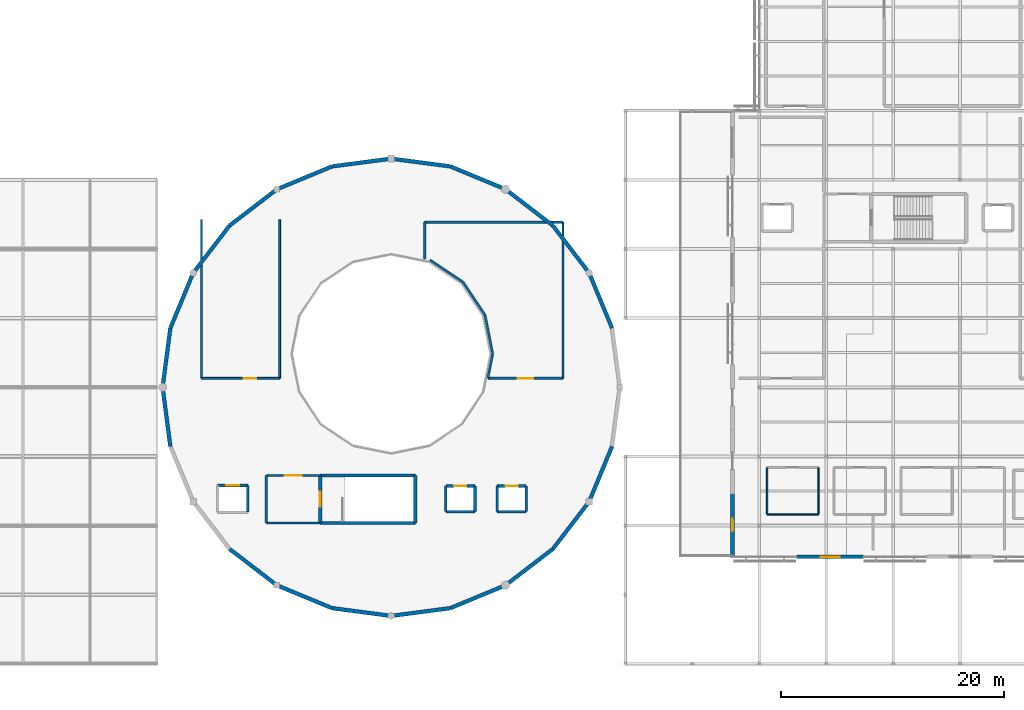
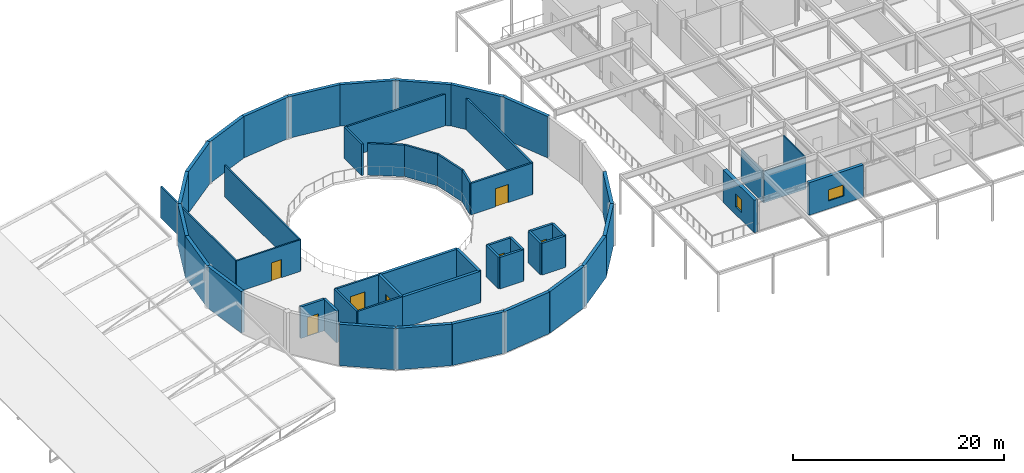
# One storey, part 40 of 48: 53 walls, 7 doors, 2 windows, 9 openings.
"""IFC4 building model written with IfcOpenShell, lengths in metres."""

import ifcopenshell
import ifcopenshell.guid

model = None  # the IFC model being written
_history = None  # IfcOwnerHistory: only IFC2X3 demands one
_inside = {}  # id of a spatial element -> (the spatial element, [elements in it])
_under = {}  # id of a project, library or spatial element -> (it, [spatial elements below it])
_declared = {}  # id of a project -> (the project, [libraries it declares])
_typed = {}  # id of a type object -> (the type object, [elements of that type])
_made_of = {}  # id of a material, layer set ... -> (it, [elements and type objects made of it])


def new_model(schema):
    """Start an empty IFC model of exactly this schema.

    Asked for "IFC4X3", IfcOpenShell would pick the latest addendum, in which some entities
    have other attributes; the version numbers below select the first issue.
    IFC2X3 requires an IfcOwnerHistory on every rooted entity: one is made here for all.
    """
    global model, _history
    if schema == "IFC4X3":
        model = ifcopenshell.file(schema_version=(4, 3, 0, 0))
    else:
        model = ifcopenshell.file(schema=schema)
    _inside.clear()
    _under.clear()
    _declared.clear()
    _typed.clear()
    _made_of.clear()
    _history = None
    if model.schema == "IFC2X3":
        org = make("IfcOrganization", Name="unknown")
        user = make(
            "IfcPersonAndOrganization",
            ThePerson=make("IfcPerson", FamilyName="unknown"),
            TheOrganization=org,
        )
        app = make(
            "IfcApplication",
            ApplicationDeveloper=org,
            Version="unknown",
            ApplicationFullName="unknown",
            ApplicationIdentifier="unknown",
        )
        _history = make(
            "IfcOwnerHistory",
            OwningUser=user,
            OwningApplication=app,
            ChangeAction="ADDED",
            CreationDate=0,
        )
    return model


def make(cls, **values):
    """One entity of the class cls with the attributes given. An attribute that is None is left unset."""
    return model.create_entity(
        cls, **{name: value for name, value in values.items() if value is not None}
    )


def rooted(cls, **values):
    """An entity with a GlobalId (a new one), such as an element, a storey or a relation."""
    return make(cls, GlobalId=ifcopenshell.guid.new(), OwnerHistory=_history, **values)


def si_unit(unit_type, name, prefix=None):
    """IfcSIUnit, for example si_unit("LENGTHUNIT", "METRE", prefix="MILLI")."""
    return make("IfcSIUnit", UnitType=unit_type, Prefix=prefix, Name=name)


def assignment(units):
    """IfcUnitAssignment: the units of a project."""
    return None if units is None else make("IfcUnitAssignment", Units=units)


def point(xyz):
    """IfcCartesianPoint."""
    return None if xyz is None else make("IfcCartesianPoint", Coordinates=xyz)


def direction(xyz):
    """IfcDirection."""
    return None if xyz is None else make("IfcDirection", DirectionRatios=xyz)


def frame(location, z_axis=None, x_axis=None):
    """IfcAxis2Placement3D, a coordinate frame: its origin and axes. An axis left out is left unset."""
    return make(
        "IfcAxis2Placement3D",
        Location=point(location),
        Axis=direction(z_axis),
        RefDirection=direction(x_axis),
    )


def frame_2d(location, x_axis=None):
    """IfcAxis2Placement2D, a coordinate frame in the plane: its origin and x axis."""
    return make(
        "IfcAxis2Placement2D", Location=point(location), RefDirection=direction(x_axis)
    )


def origin():
    """The frame at (0, 0, 0) with its axes left unset."""
    return frame((0.0, 0.0, 0.0))


def place(relative_to, where):
    """IfcLocalPlacement: puts the frame where relative to a parent placement (None: the world)."""
    return make(
        "IfcLocalPlacement", PlacementRelTo=relative_to, RelativePlacement=where
    )


def context(
    kind, dimensions, precision=None, world=None, true_north=None, identifier=None
):
    """IfcGeometricRepresentationContext, for example the 3D "Model" context."""
    return make(
        "IfcGeometricRepresentationContext",
        ContextIdentifier=identifier,
        ContextType=kind,
        CoordinateSpaceDimension=dimensions,
        Precision=precision,
        WorldCoordinateSystem=world,
        TrueNorth=true_north,
    )


def subcontext(parent, identifier, kind, view, scale=None):
    """IfcGeometricRepresentationSubContext, for example "Body" below "Model"."""
    return make(
        "IfcGeometricRepresentationSubContext",
        ContextIdentifier=identifier,
        ContextType=kind,
        ParentContext=parent,
        TargetScale=scale,
        TargetView=view,
    )


def project(units=None, contexts=None):
    """IfcProject with its units and contexts."""
    return rooted(
        "IfcProject",
        Name="project",
        RepresentationContexts=contexts,
        UnitsInContext=assignment(units),
    )


def spatial(cls, under=None, at=None, **own):
    """A site, building, storey or space (cls), placed at a placement, below another one or the project."""
    s = rooted(cls, ObjectPlacement=at, **own)
    if under is not None:
        _under.setdefault(under.id(), (under, []))[1].append(s)
    return s


def profile(cls, at=None, kind="AREA", **sizes):
    """A parametric profile (cls). Its sizes go by their IFC names, for example OverallWidth=200.0."""
    return make(cls, ProfileType=kind, Position=at, **sizes)


def rectangle(**sizes):
    """IfcRectangleProfileDef."""
    return profile("IfcRectangleProfileDef", **sizes)


def extrude(swept, where, along, depth):
    """IfcExtrudedAreaSolid: the profile swept, set in the frame where, extruded along a direction by depth."""
    return make(
        "IfcExtrudedAreaSolid",
        SweptArea=swept,
        Position=where,
        ExtrudedDirection=direction(along),
        Depth=depth,
    )


def shape(context_of_items, identifier, shape_type, items):
    """IfcShapeRepresentation: the items that make up one representation, for example the "Body"."""
    return make(
        "IfcShapeRepresentation",
        ContextOfItems=context_of_items,
        RepresentationIdentifier=identifier,
        RepresentationType=shape_type,
        Items=items,
    )


def material(Name=None, Category=None):
    """IfcMaterial."""
    return make("IfcMaterial", Name=Name, Category=Category)


def layer(
    of_material, thickness, ventilated=None, Name=None, Category=None, Priority=None
):
    """IfcMaterialLayer: one layer of a wall or slab, of a material (None: an air gap)."""
    return make(
        "IfcMaterialLayer",
        Material=of_material,
        LayerThickness=thickness,
        IsVentilated=ventilated,
        Name=Name,
        Category=Category,
        Priority=Priority,
    )


def layer_set(layers, Name=None):
    """IfcMaterialLayerSet."""
    return make("IfcMaterialLayerSet", MaterialLayers=layers, LayerSetName=Name)


def made_of(thing, what):
    """Note that an element or type object is made of a material, layer set ...; save() writes the relation."""
    if what is not None:
        _made_of.setdefault(what.id(), (what, []))[1].append(thing)
    return thing


def type_object(cls, material=None, **own):
    """A type object (cls), such as IfcWallType, which elements share."""
    return made_of(rooted(cls, **own), material)


def element(
    cls,
    number,
    at=None,
    inside=None,
    cuts=None,
    type_object=None,
    material=None,
    context=None,
    identifier="Body",
    shape_type=None,
    held_by="IfcProductDefinitionShape",
    body=None,
    shapes=None,
    **own,
):
    """One element of the class cls, such as IfcWall. Its Tag is "e" and its number.

    at: its placement. inside: the storey or other place that contains it. cuts: it is an
    opening in that element (IfcRelVoidsElement). A single representation is given by context,
    identifier, shape_type and body (its items); several are given by shapes. held_by: the class
    of the entity that holds the representations. save() writes the other relations.
    """
    e = rooted(cls, Tag="e%d" % number, ObjectPlacement=at, **own)
    if body is not None:
        shapes = [shape(context, identifier, shape_type, body)]
    if shapes is not None:
        e.Representation = make(held_by, Representations=shapes)
    if inside is not None:
        _inside.setdefault(inside.id(), (inside, []))[1].append(e)
    if cuts is not None:
        rooted(
            "IfcRelVoidsElement", RelatingBuildingElement=cuts, RelatedOpeningElement=e
        )
    if type_object is not None:
        _typed.setdefault(type_object.id(), (type_object, []))[1].append(e)
    return made_of(e, material)


def fill(opening, filler):
    """IfcRelFillsElement: the door or window that sits in an opening."""
    return rooted(
        "IfcRelFillsElement",
        RelatingOpeningElement=opening,
        RelatedBuildingElement=filler,
    )


def aggregate(whole, parts):
    """IfcRelAggregates: a whole, such as a stair, and the parts it consists of."""
    return rooted("IfcRelAggregates", RelatingObject=whole, RelatedObjects=parts)


def save(model, path):
    """Write the relations noted so far, then the file.

    IfcRelAggregates (storeys below a building ...), IfcRelContainedInSpatialStructure (elements
    in a storey), IfcRelDefinesByType, IfcRelAssociatesMaterial and IfcRelDeclares: one each for
    every whole, place, type object, material and project.
    """
    for whole, parts in _under.values():
        aggregate(whole, parts)
    for where, things in _inside.values():
        rooted(
            "IfcRelContainedInSpatialStructure",
            RelatedElements=things,
            RelatingStructure=where,
        )
    for kind, things in _typed.values():
        rooted("IfcRelDefinesByType", RelatedObjects=things, RelatingType=kind)
    for what, things in _made_of.values():
        rooted("IfcRelAssociatesMaterial", RelatedObjects=things, RelatingMaterial=what)
    for by, libraries in _declared.values():
        rooted("IfcRelDeclares", RelatingContext=by, RelatedDefinitions=libraries)
    model.write(path)


model = new_model("IFC4")

# Units and contexts
model_context = context("Model", 3, precision=1e-05, world=origin(), true_north=direction((0.0, 1.0)))
body_context = subcontext(model_context, "Body", "Model", "MODEL_VIEW")
ifc_project = project(units=[si_unit("LENGTHUNIT", "METRE"), si_unit("AREAUNIT", "SQUARE_METRE"), si_unit("VOLUMEUNIT", "CUBIC_METRE"), si_unit("PLANEANGLEUNIT", "RADIAN"), si_unit("MASSUNIT", "GRAM", prefix="KILO")], contexts=[model_context])

# Site, building, storey
site_placement = place(None, origin())
site = spatial("IfcSite", under=ifc_project, at=site_placement, CompositionType="ELEMENT")
building_placement = place(site_placement, origin())
building = spatial("IfcBuilding", under=site, at=building_placement, Name="Mirzam Square Science Centre", CompositionType="ELEMENT")
storey_placement = place(building_placement, frame((0.0, 0.0, 20.39990234375)))
storey = spatial("IfcBuildingStorey", under=building, at=storey_placement, Name="L04", CompositionType="ELEMENT", Elevation=20.39990234375)

# Walls
ifc_material_1 = material(Name="Concrete C45/55", Category="concrete")
ifc_layer_1 = layer(ifc_material_1, 0.300048828125)
ifc_layer_set_1 = layer_set([ifc_layer_1], Name="W-CORE-300")
wall_type_1 = type_object("IfcWallType", Name="W-CORE-300", PredefinedType="SHEAR", material=ifc_layer_set_1)
for number, where, z_axis, x_axis, name in (
    (1, (74.639892578125, 49.840087890625, 0.0), (0.0, 0.0, 1.0), (1.0, 0.0, 0.0), "L04 CORE-3 south wall"),
    (2, (83.159912109375, 54.090087890625, 0.0), (0.0, 0.0, 1.0), (-1.0, 0.0, 0.0), "L04 CORE-3 north wall"),
):
    element("IfcWall", number, at=place(storey_placement, frame(where, z_axis=z_axis, x_axis=x_axis)), inside=storey, type_object=wall_type_1, Name=name, PredefinedType="SHEAR", context=body_context, shape_type="SweptSolid", body=[
        extrude(rectangle(XDim=8.52001953125, YDim=0.300048828125, at=frame_2d((4.260009765625, 0.0))), origin(), (0.0, 0.0, 1.0), 3.650146484375),
    ])

# Wall, opening, door
wall_1_placement = place(storey_placement, frame((74.639892578125, 54.090087890625, 0.0), z_axis=(0.0, 0.0, 1.0), x_axis=(0.0, -1.0, 0.0)))
wall_1 = element("IfcWall", 3, at=wall_1_placement, inside=storey, type_object=wall_type_1, Name="L04 CORE-3 west wall", PredefinedType="SHEAR", context=body_context, shape_type="SweptSolid", body=[
    extrude(rectangle(XDim=4.25, YDim=0.300048828125, at=frame_2d((2.125, 0.0))), origin(), (0.0, 0.0, 1.0), 3.650146484375),
])
opening_1_placement = place(wall_1_placement, frame((1.449951171875, 0.0, 0.0)))
opening_1 = element("IfcOpeningElement", 4, at=opening_1_placement, cuts=wall_1, Name="Opening DS-01", PredefinedType="OPENING", context=body_context, shape_type="SweptSolid", body=[
    extrude(rectangle(XDim=1.35009765625, YDim=2.199951171875, at=frame_2d((0.675048828125, 1.10009765625))), frame((0.0, 0.159912109375, 0.0), z_axis=(0.0, -1.0, 0.0), x_axis=(1.0, 0.0, 0.0)), (0.0, 0.0, 1.0), 0.320068359375),
])
ifc_material_2 = material(Name="Fire-Rated Powder-Coated Architectural Steel Door", Category="steel")
door_type_1 = type_object("IfcDoorType", Name="DR-STAIR-1350x2200", OperationType="NOTDEFINED", PredefinedType="DOOR", material=ifc_material_2)
door_1_placement = place(opening_1_placement, origin())
door_1 = element("IfcDoor", 5, at=door_1_placement, inside=storey, type_object=door_type_1, Name="DRS-3-L04", OperationType="SINGLE_SWING_RIGHT", OverallHeight=2.199951171875, OverallWidth=1.35009765625, PredefinedType="DOOR", context=body_context, shape_type="SweptSolid", body=[
    extrude(rectangle(XDim=1.35009765625, YDim=2.199951171875, at=frame_2d((0.675048828125, 1.10009765625))), frame((0.0, 0.02490234375, 0.0), z_axis=(0.0, -1.0, 0.0), x_axis=(1.0, 0.0, 0.0)), (0.0, 0.0, 1.0), 0.050048828125),
])
fill(opening_1, door_1)

# Walls
wall_2_placement = place(storey_placement, frame((83.159912109375, 49.840087890625, 0.0), z_axis=(0.0, 0.0, 1.0), x_axis=(0.0, 1.0, 0.0)))
element("IfcWall", 6, at=wall_2_placement, inside=storey, type_object=wall_type_1, Name="L04 CORE-3 east wall", PredefinedType="SHEAR", context=body_context, shape_type="SweptSolid", body=[
    extrude(rectangle(XDim=4.25, YDim=0.300048828125, at=frame_2d((2.125, 0.0))), origin(), (0.0, 0.0, 1.0), 3.650146484375),
])
ifc_layer_2 = layer(ifc_material_1, 0.35009765625)
ifc_layer_set_2 = layer_set([ifc_layer_2], Name="W-DRUM-350")
wall_type_2 = type_object("IfcWallType", Name="W-DRUM-350", PredefinedType="SHEAR", material=ifc_layer_set_2)
for number, where, z_axis, x_axis, name in (
    (7, (100.801513671875, 67.305908203125, 0.0), (0.0, 0.0, 1.0), (-0.382713071139, 0.923867255172, 0.0), "L04 planetarium drum wall 02"),
    (8, (98.75341796875, 72.25, 0.0), (0.0, 0.0, 1.0), (-0.60876670321, 0.793349293227, 0.0), "L04 planetarium drum wall 03"),
    (9, (95.49560546875, 76.49560546875, 0.0), (0.0, 0.0, 1.0), (-0.793349293227, 0.60876670321, 0.0), "L04 planetarium drum wall 04"),
    (10, (91.25, 79.75341796875, 0.0), (0.0, 0.0, 1.0), (-0.923867255172, 0.382713071139, 0.0), "L04 planetarium drum wall 05"),
):
    element("IfcWall", number, at=place(storey_placement, frame(where, z_axis=z_axis, x_axis=x_axis)), inside=storey, type_object=wall_type_2, Name=name, PredefinedType="SHEAR", context=body_context, shape_type="SweptSolid", body=[
        extrude(rectangle(XDim=5.3515625, YDim=0.35009765625, at=frame_2d((2.67578125, 0.0))), origin(), (0.0, 0.0, 1.0), 4.800048828125),
    ])
for number, where, z_axis, x_axis, name in (
    (11, (86.305908203125, 81.801513671875, 0.0), (0.0, 0.0, 1.0), (-0.991446064069, 0.130517056518, 0.0), "L04 planetarium drum wall 06"),
    (12, (81.0, 82.5, 0.0), (0.0, 0.0, 1.0), (-0.991446064069, -0.130517056518, 0.0), "L04 planetarium drum wall 07"),
):
    element("IfcWall", number, at=place(storey_placement, frame(where, z_axis=z_axis, x_axis=x_axis)), inside=storey, type_object=wall_type_2, Name=name, PredefinedType="SHEAR", context=body_context, shape_type="SweptSolid", body=[
        extrude(rectangle(XDim=5.351806640625, YDim=0.35009765625, at=frame_2d((2.67578125, 0.0))), origin(), (0.0, 0.0, 1.0), 4.800048828125),
    ])
for number, where, z_axis, x_axis, name in (
    (13, (75.694091796875, 81.801513671875, 0.0), (0.0, 0.0, 1.0), (-0.923867255172, -0.382713071139, 0.0), "L04 planetarium drum wall 08"),
    (14, (70.75, 79.75341796875, 0.0), (0.0, 0.0, 1.0), (-0.793349293227, -0.60876670321, 0.0), "L04 planetarium drum wall 09"),
    (15, (66.50439453125, 76.49560546875, 0.0), (0.0, 0.0, 1.0), (-0.60876670321, -0.793349293227, 0.0), "L04 planetarium drum wall 10"),
    (16, (63.24658203125, 72.25, 0.0), (0.0, 0.0, 1.0), (-0.382713071139, -0.923867255172, 0.0), "L04 planetarium drum wall 11"),
):
    element("IfcWall", number, at=place(storey_placement, frame(where, z_axis=z_axis, x_axis=x_axis)), inside=storey, type_object=wall_type_2, Name=name, PredefinedType="SHEAR", context=body_context, shape_type="SweptSolid", body=[
        extrude(rectangle(XDim=5.3515625, YDim=0.35009765625, at=frame_2d((2.67578125, 0.0))), origin(), (0.0, 0.0, 1.0), 4.800048828125),
    ])
for number, where, z_axis, x_axis, name in (
    (17, (61.198486328125, 67.305908203125, 0.0), (0.0, 0.0, 1.0), (-0.130517056518, -0.991446064069, 0.0), "L04 planetarium drum wall 12"),
    (18, (60.5, 62.0, 0.0), (0.0, 0.0, 1.0), (0.130517056518, -0.991446064069, 0.0), "L04 planetarium drum wall 13"),
):
    element("IfcWall", number, at=place(storey_placement, frame(where, z_axis=z_axis, x_axis=x_axis)), inside=storey, type_object=wall_type_2, Name=name, PredefinedType="SHEAR", context=body_context, shape_type="SweptSolid", body=[
        extrude(rectangle(XDim=5.351806640625, YDim=0.35009765625, at=frame_2d((2.67578125, 0.0))), origin(), (0.0, 0.0, 1.0), 4.800048828125),
    ])
for number, where, z_axis, x_axis, name in (
    (19, (66.50439453125, 47.50439453125, 0.0), (0.0, 0.0, 1.0), (0.793349293227, -0.60876670321, 0.0), "L04 planetarium drum wall 16"),
    (20, (70.75, 44.24658203125, 0.0), (0.0, 0.0, 1.0), (0.923867255172, -0.382713071139, 0.0), "L04 planetarium drum wall 17"),
):
    element("IfcWall", number, at=place(storey_placement, frame(where, z_axis=z_axis, x_axis=x_axis)), inside=storey, type_object=wall_type_2, Name=name, PredefinedType="SHEAR", context=body_context, shape_type="SweptSolid", body=[
        extrude(rectangle(XDim=5.3515625, YDim=0.35009765625, at=frame_2d((2.67578125, 0.0))), origin(), (0.0, 0.0, 1.0), 4.800048828125),
    ])
for number, where, z_axis, x_axis, name in (
    (21, (75.694091796875, 42.198486328125, 0.0), (0.0, 0.0, 1.0), (0.991446064069, -0.130517056518, 0.0), "L04 planetarium drum wall 18"),
    (22, (81.0, 41.5, 0.0), (0.0, 0.0, 1.0), (0.991446064069, 0.130517056518, 0.0), "L04 planetarium drum wall 19"),
):
    element("IfcWall", number, at=place(storey_placement, frame(where, z_axis=z_axis, x_axis=x_axis)), inside=storey, type_object=wall_type_2, Name=name, PredefinedType="SHEAR", context=body_context, shape_type="SweptSolid", body=[
        extrude(rectangle(XDim=5.351806640625, YDim=0.35009765625, at=frame_2d((2.67578125, 0.0))), origin(), (0.0, 0.0, 1.0), 4.800048828125),
    ])
for number, where, z_axis, x_axis, name in (
    (23, (86.305908203125, 42.198486328125, 0.0), (0.0, 0.0, 1.0), (0.923867255172, 0.382713071139, 0.0), "L04 planetarium drum wall 20"),
    (24, (91.25, 44.24658203125, 0.0), (0.0, 0.0, 1.0), (0.793349293227, 0.60876670321, 0.0), "L04 planetarium drum wall 21"),
    (25, (95.49560546875, 47.50439453125, 0.0), (0.0, 0.0, 1.0), (0.60876670321, 0.793349293227, 0.0), "L04 planetarium drum wall 22"),
    (26, (98.75341796875, 51.75, 0.0), (0.0, 0.0, 1.0), (0.382713071139, 0.923867255172, 0.0), "L04 planetarium drum wall 23"),
):
    element("IfcWall", number, at=place(storey_placement, frame(where, z_axis=z_axis, x_axis=x_axis)), inside=storey, type_object=wall_type_2, Name=name, PredefinedType="SHEAR", context=body_context, shape_type="SweptSolid", body=[
        extrude(rectangle(XDim=5.3515625, YDim=0.35009765625, at=frame_2d((2.67578125, 0.0))), origin(), (0.0, 0.0, 1.0), 4.800048828125),
    ])

# Wall, opening, window
ifc_material_3 = material(Name="Insulated Sand-Toned GFRC Concrete C40/50", Category="concrete")
ifc_layer_3 = layer(ifc_material_3, 0.340087890625)
ifc_layer_set_3 = layer_set([ifc_layer_3], Name="W-EXT-GFRC-340")
wall_type_3 = type_object("IfcWallType", Name="W-EXT-GFRC-340", PredefinedType="SOLIDWALL", material=ifc_layer_set_3)
wall_3_placement = place(storey_placement, frame((117.353515625, 46.800048828125, 0.0), z_axis=(0.0, 0.0, 1.0), x_axis=(1.0, 0.0, 0.0)))
wall_3 = element("IfcWall", 27, at=wall_3_placement, inside=storey, type_object=wall_type_3, Name="L04 external wall EW-EST-S-L04-02", PredefinedType="SOLIDWALL", context=body_context, shape_type="SweptSolid", body=[
    extrude(rectangle(XDim=5.978515625, YDim=0.340087890625, at=frame_2d((2.9892578125, 0.0))), origin(), (0.0, 0.0, 1.0), 3.760009765625),
])
opening_2_placement = place(wall_3_placement, frame((2.13916015625, 0.0, 0.89990234375)))
opening_2 = element("IfcOpeningElement", 28, at=opening_2_placement, cuts=wall_3, Name="Opening W-05", PredefinedType="OPENING", context=body_context, shape_type="SweptSolid", body=[
    extrude(rectangle(XDim=1.699951171875, YDim=1.300048828125, at=frame_2d((0.85009765625, 0.64990234375))), frame((0.0, 0.179931640625, 0.0), z_axis=(0.0, -1.0, 0.0), x_axis=(1.0, 0.0, 0.0)), (0.0, 0.0, 1.0), 0.360107421875),
])
ifc_material_4 = material(Name="Thermally Broken Bronze Aluminium and Low-E Glass", Category="aluminium")
window_type_1 = type_object("IfcWindowType", Name="WIN-1700x1300", PartitioningType="SINGLE_PANEL", PredefinedType="WINDOW", material=ifc_material_4)
window_1_placement = place(opening_2_placement, origin())
window_1 = element("IfcWindow", 29, at=window_1_placement, inside=storey, type_object=window_type_1, Name="L04 solar window 093", OverallHeight=1.300048828125, OverallWidth=1.699951171875, PartitioningType="SINGLE_PANEL", PredefinedType="WINDOW", context=body_context, shape_type="SweptSolid", body=[
    extrude(rectangle(XDim=1.699951171875, YDim=1.300048828125, at=frame_2d((0.85009765625, 0.64990234375))), frame((0.0, 0.030029296875, 0.0), z_axis=(0.0, -1.0, 0.0), x_axis=(1.0, 0.0, 0.0)), (0.0, 0.0, 1.0), 0.06005859375),
])
fill(opening_2, window_1)

ifc_layer_4 = layer(ifc_material_3, 0.385009765625)
ifc_layer_set_4 = layer_set([ifc_layer_4], Name="W-EXT-GFRC-385")
wall_type_4 = type_object("IfcWallType", Name="W-EXT-GFRC-385", PredefinedType="SOLIDWALL", material=ifc_layer_set_4)
wall_4_placement = place(storey_placement, frame((111.60009765625, 52.58935546875, 0.0), z_axis=(0.0, 0.0, 1.0), x_axis=(0.0, -1.0, 0.0)))
wall_4 = element("IfcWall", 30, at=wall_4_placement, inside=storey, type_object=wall_type_4, Name="L04 external wall EW-EST-W-L04-07", PredefinedType="SOLIDWALL", context=body_context, shape_type="SweptSolid", body=[
    extrude(rectangle(XDim=5.8642578125, YDim=0.385009765625, at=frame_2d((2.93212890625, 0.0))), origin(), (0.0, 0.0, 1.0), 3.760009765625),
])
opening_3_placement = place(wall_4_placement, frame((2.382080078125, 0.0, 0.89990234375)))
opening_3 = element("IfcOpeningElement", 31, at=opening_3_placement, cuts=wall_4, Name="Opening W-12", PredefinedType="OPENING", context=body_context, shape_type="SweptSolid", body=[
    extrude(rectangle(XDim=1.10009765625, YDim=1.5, at=frame_2d((0.550048828125, 0.75))), frame((0.0, 0.202392578125, 0.0), z_axis=(0.0, -1.0, 0.0), x_axis=(1.0, 0.0, 0.0)), (0.0, 0.0, 1.0), 0.405029296875),
])
window_type_2 = type_object("IfcWindowType", Name="WIN-1100x1500", PartitioningType="SINGLE_PANEL", PredefinedType="WINDOW", material=ifc_material_4)
window_2_placement = place(opening_3_placement, origin())
window_2 = element("IfcWindow", 32, at=window_2_placement, inside=storey, type_object=window_type_2, Name="L04 solar window 100", OverallHeight=1.5, OverallWidth=1.10009765625, PartitioningType="SINGLE_PANEL", PredefinedType="WINDOW", context=body_context, shape_type="SweptSolid", body=[
    extrude(rectangle(XDim=1.10009765625, YDim=1.5, at=frame_2d((0.550048828125, 0.75))), frame((0.0, 0.030029296875, 0.0), z_axis=(0.0, -1.0, 0.0), x_axis=(1.0, 0.0, 0.0)), (0.0, 0.0, 1.0), 0.06005859375),
])
fill(opening_3, window_2)

# Wall
ifc_layer_5 = layer(ifc_material_1, 0.199951171875)
ifc_layer_set_5 = layer_set([ifc_layer_5], Name="W-LOBBY-200")
wall_type_5 = type_object("IfcWallType", Name="W-LOBBY-200", PredefinedType="SHEAR", material=ifc_layer_set_5)
wall_5_placement = place(storey_placement, frame((69.800048828125, 49.840087890625, 0.0), z_axis=(0.0, 0.0, 1.0), x_axis=(1.0, 0.0, 0.0)))
element("IfcWall", 33, at=wall_5_placement, inside=storey, type_object=wall_type_5, Name="L04 CORE-3 lobby south wall", PredefinedType="SHEAR", context=body_context, shape_type="SweptSolid", body=[
    extrude(rectangle(XDim=4.83984375, YDim=0.199951171875, at=frame_2d((2.419921875, 0.0))), origin(), (0.0, 0.0, 1.0), 3.650146484375),
])

# Wall, opening, door
wall_6_placement = place(storey_placement, frame((74.639892578125, 54.090087890625, 0.0), z_axis=(0.0, 0.0, 1.0), x_axis=(-1.0, 0.0, 0.0)))
wall_6 = element("IfcWall", 34, at=wall_6_placement, inside=storey, type_object=wall_type_5, Name="L04 CORE-3 lobby north wall", PredefinedType="SHEAR", context=body_context, shape_type="SweptSolid", body=[
    extrude(rectangle(XDim=4.83984375, YDim=0.199951171875, at=frame_2d((2.419921875, 0.0))), origin(), (0.0, 0.0, 1.0), 3.650146484375),
])
opening_4_placement = place(wall_6_placement, frame((1.64501953125, 0.0, 0.0)))
opening_4 = element("IfcOpeningElement", 35, at=opening_4_placement, cuts=wall_6, Name="Opening DL-01", PredefinedType="OPENING", context=body_context, shape_type="SweptSolid", body=[
    extrude(rectangle(XDim=1.550048828125, YDim=2.199951171875, at=frame_2d((0.77490234375, 1.10009765625))), frame((0.0, 0.10986328125, 0.0), z_axis=(0.0, -1.0, 0.0), x_axis=(1.0, 0.0, 0.0)), (0.0, 0.0, 1.0), 0.219970703125),
])
ifc_material_5 = material(Name="Fire-Rated Glazed Architectural Steel Lobby Door", Category="steel")
door_type_2 = type_object("IfcDoorType", Name="DR-LOBBY-1550x2200", OperationType="DOUBLE_DOOR_SINGLE_SWING", PredefinedType="DOOR", material=ifc_material_5)
door_2_placement = place(opening_4_placement, origin())
door_2 = element("IfcDoor", 36, at=door_2_placement, inside=storey, type_object=door_type_2, Name="DRL-3-L04", OperationType="SINGLE_SWING_LEFT", OverallHeight=2.199951171875, OverallWidth=1.550048828125, PredefinedType="DOOR", context=body_context, shape_type="SweptSolid", body=[
    extrude(rectangle(XDim=1.550048828125, YDim=2.199951171875, at=frame_2d((0.77490234375, 1.10009765625))), frame((0.0, 0.02490234375, 0.0), z_axis=(0.0, -1.0, 0.0), x_axis=(1.0, 0.0, 0.0)), (0.0, 0.0, 1.0), 0.050048828125),
])
fill(opening_4, door_2)

# Walls
wall_7_placement = place(storey_placement, frame((69.800048828125, 54.090087890625, 0.0), z_axis=(0.0, 0.0, 1.0), x_axis=(0.0, -1.0, 0.0)))
element("IfcWall", 37, at=wall_7_placement, inside=storey, type_object=wall_type_5, Name="L04 CORE-3 lobby west wall", PredefinedType="SHEAR", context=body_context, shape_type="SweptSolid", body=[
    extrude(rectangle(XDim=4.25, YDim=0.199951171875, at=frame_2d((2.125, 0.0))), origin(), (0.0, 0.0, 1.0), 3.650146484375),
])
ifc_material_6 = material(Name="Acoustic Gypsum Stud Partition", Category="gypsum")
ifc_layer_6 = layer(ifc_material_6, 0.1201171875)
ifc_layer_set_6 = layer_set([ifc_layer_6], Name="W-PART-120")
wall_type_6 = type_object("IfcWallType", Name="W-PART-120", PredefinedType="PARTITIONING", material=ifc_layer_set_6)
wall_8_placement = place(storey_placement, frame((119.300048828125, 54.800048828125, 0.0), z_axis=(0.0, 0.0, 1.0), x_axis=(0.0, -1.0, 0.0)))
element("IfcWall", 38, at=wall_8_placement, inside=storey, type_object=wall_type_6, Name="L04 Male WC L04 partition 263", PredefinedType="PARTITIONING", context=body_context, shape_type="SweptSolid", body=[
    extrude(rectangle(XDim=4.199951171875, YDim=0.1201171875, at=frame_2d((2.10009765625, 0.0))), origin(), (0.0, 0.0, 1.0), 3.650146484375),
])
wall_9_placement = place(storey_placement, frame((119.300048828125, 50.60009765625, 0.0), z_axis=(0.0, 0.0, 1.0), x_axis=(-1.0, 0.0, 0.0)))
element("IfcWall", 39, at=wall_9_placement, inside=storey, type_object=wall_type_6, Name="L04 Male WC L04 partition 264", PredefinedType="PARTITIONING", context=body_context, shape_type="SweptSolid", body=[
    extrude(rectangle(XDim=4.60009765625, YDim=0.1201171875, at=frame_2d((2.300048828125, 0.0))), origin(), (0.0, 0.0, 1.0), 3.650146484375),
])
wall_10_placement = place(storey_placement, frame((114.699951171875, 50.60009765625, 0.0), z_axis=(0.0, 0.0, 1.0), x_axis=(0.0, 1.0, 0.0)))
element("IfcWall", 40, at=wall_10_placement, inside=storey, type_object=wall_type_6, Name="L04 Male WC L04 partition 265", PredefinedType="PARTITIONING", context=body_context, shape_type="SweptSolid", body=[
    extrude(rectangle(XDim=4.199951171875, YDim=0.1201171875, at=frame_2d((2.10009765625, 0.0))), origin(), (0.0, 0.0, 1.0), 3.650146484375),
])
ifc_material_7 = material(Name="Wet-Area Moisture-Resistant Partition", Category="gypsum")
ifc_layer_7 = layer(ifc_material_7, 0.1650390625)
ifc_layer_set_7 = layer_set([ifc_layer_7], Name="W-PART-165")
wall_type_7 = type_object("IfcWallType", Name="W-PART-165", PredefinedType="PARTITIONING", material=ifc_layer_set_7)
wall_11_placement = place(storey_placement, frame((71.0, 77.0, 0.0), z_axis=(0.0, 0.0, 1.0), x_axis=(0.0, -1.0, 0.0)))
element("IfcWall", 41, at=wall_11_placement, inside=storey, type_object=wall_type_7, Name="L04 Deep-Sky Astronomy Exhibition Gallery partition 274", PredefinedType="PARTITIONING", context=body_context, shape_type="SweptSolid", body=[
    extrude(rectangle(XDim=14.199951171875, YDim=0.1650390625, at=frame_2d((7.10009765625, 0.0))), origin(), (0.0, 0.0, 1.0), 3.650146484375),
])

# Wall, opening, door
wall_12_placement = place(storey_placement, frame((71.0, 62.800048828125, 0.0), z_axis=(0.0, 0.0, 1.0), x_axis=(-1.0, 0.0, 0.0)))
wall_12 = element("IfcWall", 42, at=wall_12_placement, inside=storey, type_object=wall_type_7, Name="L04 Deep-Sky Astronomy Exhibition Gallery partition 275", PredefinedType="PARTITIONING", context=body_context, shape_type="SweptSolid", body=[
    extrude(rectangle(XDim=7.0, YDim=0.1650390625, at=frame_2d((3.5, 0.0))), origin(), (0.0, 0.0, 1.0), 3.650146484375),
])
opening_5_placement = place(wall_12_placement, frame((2.110107421875, 0.0, 0.0)))
opening_5 = element("IfcOpeningElement", 43, at=opening_5_placement, cuts=wall_12, Name="Opening D-05", PredefinedType="OPENING", context=body_context, shape_type="SweptSolid", body=[
    extrude(rectangle(XDim=1.10009765625, YDim=2.10009765625, at=frame_2d((0.550048828125, 1.050048828125))), frame((0.0, 0.092529296875, 0.0), z_axis=(0.0, -1.0, 0.0), x_axis=(1.0, 0.0, 0.0)), (0.0, 0.0, 1.0), 0.18505859375),
])
ifc_material_8 = material(Name="Solid Core Acoustic Oak Timber Door", Category="wood")
door_type_3 = type_object("IfcDoorType", Name="DR-INT-1100x2100", OperationType="NOTDEFINED", PredefinedType="DOOR", material=ifc_material_8)
door_3_placement = place(opening_5_placement, origin())
door_3 = element("IfcDoor", 44, at=door_3_placement, inside=storey, type_object=door_type_3, Name="ID-L04-0076", OperationType="SINGLE_SWING_LEFT", OverallHeight=2.10009765625, OverallWidth=1.10009765625, PredefinedType="DOOR", context=body_context, shape_type="SweptSolid", body=[
    extrude(rectangle(XDim=1.10009765625, YDim=2.10009765625, at=frame_2d((0.550048828125, 1.050048828125))), frame((0.0, 0.02490234375, 0.0), z_axis=(0.0, -1.0, 0.0), x_axis=(1.0, 0.0, 0.0)), (0.0, 0.0, 1.0), 0.050048828125),
])
fill(opening_5, door_3)

# Walls
wall_13_placement = place(storey_placement, frame((64.0, 62.800048828125, 0.0), z_axis=(0.0, 0.0, 1.0), x_axis=(0.0, 1.0, 0.0)))
element("IfcWall", 45, at=wall_13_placement, inside=storey, type_object=wall_type_7, Name="L04 Deep-Sky Astronomy Exhibition Gallery partition 276", PredefinedType="PARTITIONING", context=body_context, shape_type="SweptSolid", body=[
    extrude(rectangle(XDim=14.199951171875, YDim=0.1650390625, at=frame_2d((7.10009765625, 0.0))), origin(), (0.0, 0.0, 1.0), 3.650146484375),
])
ifc_material_9 = material(Name="Fire-Rated Corridor Blockwork Concrete C30/37", Category="masonry")
ifc_layer_8 = layer(ifc_material_9, 0.199951171875)
ifc_layer_set_8 = layer_set([ifc_layer_8], Name="W-PART-200")
wall_type_8 = type_object("IfcWallType", Name="W-PART-200", PredefinedType="PARTITIONING", material=ifc_layer_set_8)
wall_14_placement = place(storey_placement, frame((84.0, 76.800048828125, 0.0), z_axis=(0.0, 0.0, 1.0), x_axis=(1.0, 0.0, 0.0)))
element("IfcWall", 46, at=wall_14_placement, inside=storey, type_object=wall_type_8, Name="L04 Planetarium Crown Acoustic Research Chamber partition 280", PredefinedType="PARTITIONING", context=body_context, shape_type="SweptSolid", body=[
    extrude(rectangle(XDim=12.39990234375, YDim=0.199951171875, at=frame_2d((6.199951171875, 0.0))), origin(), (0.0, 0.0, 1.0), 3.650146484375),
])
wall_15_placement = place(storey_placement, frame((96.39990234375, 76.800048828125, 0.0), z_axis=(0.0, 0.0, 1.0), x_axis=(0.0, -1.0, 0.0)))
element("IfcWall", 47, at=wall_15_placement, inside=storey, type_object=wall_type_8, Name="L04 Planetarium Crown Acoustic Research Chamber partition 281", PredefinedType="PARTITIONING", context=body_context, shape_type="SweptSolid", body=[
    extrude(rectangle(XDim=14.0, YDim=0.199951171875, at=frame_2d((7.0, 0.0))), origin(), (0.0, 0.0, 1.0), 3.650146484375),
])

# Wall, opening, door
wall_16_placement = place(storey_placement, frame((96.39990234375, 62.800048828125, 0.0), z_axis=(0.0, 0.0, 1.0), x_axis=(-1.0, 0.0, 0.0)))
wall_16 = element("IfcWall", 48, at=wall_16_placement, inside=storey, type_object=wall_type_8, Name="L04 Planetarium Crown Acoustic Research Chamber partition 282", PredefinedType="PARTITIONING", context=body_context, shape_type="SweptSolid", body=[
    extrude(rectangle(XDim=6.737548828125, YDim=0.199951171875, at=frame_2d((3.36865234375, 0.0))), origin(), (0.0, 0.0, 1.0), 3.650146484375),
])
opening_6_placement = place(wall_16_placement, frame((2.668701171875, 0.0, 0.0)))
opening_6 = element("IfcOpeningElement", 49, at=opening_6_placement, cuts=wall_16, Name="Opening D-07", PredefinedType="OPENING", context=body_context, shape_type="SweptSolid", body=[
    extrude(rectangle(XDim=1.39990234375, YDim=2.10009765625, at=frame_2d((0.699951171875, 1.050048828125))), frame((0.0, 0.10986328125, 0.0), z_axis=(0.0, -1.0, 0.0), x_axis=(1.0, 0.0, 0.0)), (0.0, 0.0, 1.0), 0.219970703125),
])
door_type_4 = type_object("IfcDoorType", Name="DR-INT-1400x2100", OperationType="NOTDEFINED", PredefinedType="DOOR", material=ifc_material_8)
door_4_placement = place(opening_6_placement, origin())
door_4 = element("IfcDoor", 50, at=door_4_placement, inside=storey, type_object=door_type_4, Name="ID-L04-0078", OperationType="SINGLE_SWING_LEFT", OverallHeight=2.10009765625, OverallWidth=1.39990234375, PredefinedType="DOOR", context=body_context, shape_type="SweptSolid", body=[
    extrude(rectangle(XDim=1.39990234375, YDim=2.10009765625, at=frame_2d((0.699951171875, 1.050048828125))), frame((0.0, 0.02490234375, 0.0), z_axis=(0.0, -1.0, 0.0), x_axis=(1.0, 0.0, 0.0)), (0.0, 0.0, 1.0), 0.050048828125),
])
fill(opening_6, door_4)

# Walls
wall_17_placement = place(storey_placement, frame((89.662353515625, 62.800048828125, 0.0), z_axis=(0.0, 0.0, 1.0), x_axis=(0.195153209968, 0.980772769116, 0.0)))
element("IfcWall", 51, at=wall_17_placement, inside=storey, type_object=wall_type_8, Name="L04 Planetarium Crown Acoustic Research Chamber partition 283", PredefinedType="PARTITIONING", context=body_context, shape_type="SweptSolid", body=[
    extrude(rectangle(XDim=2.2431640625, YDim=0.199951171875, at=frame_2d((1.12158203125, 0.0))), origin(), (0.0, 0.0, 1.0), 3.650146484375),
])
wall_18_placement = place(storey_placement, frame((90.10009765625, 65.0, 0.0), z_axis=(0.0, 0.0, 1.0), x_axis=(-0.195137546521, 0.980775885683, 0.0)))
element("IfcWall", 52, at=wall_18_placement, inside=storey, type_object=wall_type_8, Name="L04 Planetarium Crown Acoustic Research Chamber partition 284", PredefinedType="PARTITIONING", context=body_context, shape_type="SweptSolid", body=[
    extrude(rectangle(XDim=3.55078125, YDim=0.199951171875, at=frame_2d((1.775390625, 0.0))), origin(), (0.0, 0.0, 1.0), 3.650146484375),
])
for number, where, z_axis, x_axis, name in (
    (53, (89.4072265625, 68.482421875, 0.0), (0.0, 0.0, 1.0), (-0.555509182012, 0.831510402039, 0.0), "L04 Planetarium Crown Acoustic Research Chamber partition 285"),
    (54, (87.434814453125, 71.434814453125, 0.0), (0.0, 0.0, 1.0), (-0.831510402039, 0.555509182012, 0.0), "L04 Planetarium Crown Acoustic Research Chamber partition 286"),
):
    element("IfcWall", number, at=place(storey_placement, frame(where, z_axis=z_axis, x_axis=x_axis)), inside=storey, type_object=wall_type_8, Name=name, PredefinedType="PARTITIONING", context=body_context, shape_type="SweptSolid", body=[
        extrude(rectangle(XDim=3.550537109375, YDim=0.199951171875, at=frame_2d((1.775390625, 0.0))), origin(), (0.0, 0.0, 1.0), 3.650146484375),
    ])
wall_19_placement = place(storey_placement, frame((84.0, 73.50341796875, 0.0), z_axis=(0.0, 0.0, 1.0), x_axis=(0.0, 1.0, 0.0)))
element("IfcWall", 55, at=wall_19_placement, inside=storey, type_object=wall_type_8, Name="L04 Planetarium Crown Acoustic Research Chamber partition 287", PredefinedType="PARTITIONING", context=body_context, shape_type="SweptSolid", body=[
    extrude(rectangle(XDim=3.296630859375, YDim=0.199951171875, at=frame_2d((1.6484375, 0.0))), origin(), (0.0, 0.0, 1.0), 3.650146484375),
])
ifc_layer_9 = layer(ifc_material_1, 0.25)
ifc_layer_set_9 = layer_set([ifc_layer_9], Name="W-SHAFT-250")
wall_type_9 = type_object("IfcWallType", Name="W-SHAFT-250", PredefinedType="SHEAR", material=ifc_layer_set_9)
wall_20_placement = place(storey_placement, frame((85.89990234375, 50.85009765625, 0.0), z_axis=(0.0, 0.0, 1.0), x_axis=(1.0, 0.0, 0.0)))
element("IfcWall", 56, at=wall_20_placement, inside=storey, type_object=wall_type_9, Name="L04 lift LP-01 shaft wall S", PredefinedType="SHEAR", context=body_context, shape_type="SweptSolid", body=[
    extrude(rectangle(XDim=2.60009765625, YDim=0.25, at=frame_2d((1.300048828125, 0.0))), origin(), (0.0, 0.0, 1.0), 3.650146484375),
])

# Wall, opening, door
wall_21_placement = place(storey_placement, frame((88.5, 53.14990234375, 0.0), z_axis=(0.0, 0.0, 1.0), x_axis=(-1.0, 0.0, 0.0)))
wall_21 = element("IfcWall", 57, at=wall_21_placement, inside=storey, type_object=wall_type_9, Name="L04 lift LP-01 shaft wall N", PredefinedType="SHEAR", context=body_context, shape_type="SweptSolid", body=[
    extrude(rectangle(XDim=2.60009765625, YDim=0.25, at=frame_2d((1.300048828125, 0.0))), origin(), (0.0, 0.0, 1.0), 3.650146484375),
])
opening_7_placement = place(wall_21_placement, frame((0.75, 0.0, 0.0)))
opening_7 = element("IfcOpeningElement", 58, at=opening_7_placement, cuts=wall_21, Name="Opening LD-01", PredefinedType="OPENING", context=body_context, shape_type="SweptSolid", body=[
    extrude(rectangle(XDim=1.10009765625, YDim=2.14990234375, at=frame_2d((0.550048828125, 1.074951171875))), frame((0.0, 0.135009765625, 0.0), z_axis=(0.0, -1.0, 0.0), x_axis=(1.0, 0.0, 0.0)), (0.0, 0.0, 1.0), 0.27001953125),
])
ifc_material_10 = material(Name="Brushed Stainless Steel 316L Sliding Lift Door", Category="steel")
door_type_5 = type_object("IfcDoorType", Name="LD-PASS-1100x2150", OperationType="DOUBLE_DOOR_SLIDING", PredefinedType="DOOR", material=ifc_material_10)
door_5_placement = place(opening_7_placement, origin())
door_5 = element("IfcDoor", 59, at=door_5_placement, inside=storey, type_object=door_type_5, Name="LD-LP-01-L04", OperationType="DOUBLE_DOOR_SLIDING", OverallHeight=2.14990234375, OverallWidth=1.10009765625, PredefinedType="DOOR", context=body_context, shape_type="SweptSolid", body=[
    extrude(rectangle(XDim=1.10009765625, YDim=2.14990234375, at=frame_2d((0.550048828125, 1.074951171875))), frame((0.0, 0.02490234375, 0.0), z_axis=(0.0, -1.0, 0.0), x_axis=(1.0, 0.0, 0.0)), (0.0, 0.0, 1.0), 0.050048828125),
])
fill(opening_7, door_5)

# Walls
for number, where, z_axis, x_axis, name in (
    (60, (85.89990234375, 53.14990234375, 0.0), (0.0, 0.0, 1.0), (0.0, -1.0, 0.0), "L04 lift LP-01 shaft wall W"),
    (61, (88.5, 50.85009765625, 0.0), (0.0, 0.0, 1.0), (0.0, 1.0, 0.0), "L04 lift LP-01 shaft wall E"),
):
    element("IfcWall", number, at=place(storey_placement, frame(where, z_axis=z_axis, x_axis=x_axis)), inside=storey, type_object=wall_type_9, Name=name, PredefinedType="SHEAR", context=body_context, shape_type="SweptSolid", body=[
        extrude(rectangle(XDim=2.2998046875, YDim=0.25, at=frame_2d((1.14990234375, 0.0))), origin(), (0.0, 0.0, 1.0), 3.650146484375),
    ])
wall_22_placement = place(storey_placement, frame((90.5, 50.85009765625, 0.0), z_axis=(0.0, 0.0, 1.0), x_axis=(1.0, 0.0, 0.0)))
element("IfcWall", 62, at=wall_22_placement, inside=storey, type_object=wall_type_9, Name="L04 lift LP-02 shaft wall S", PredefinedType="SHEAR", context=body_context, shape_type="SweptSolid", body=[
    extrude(rectangle(XDim=2.60009765625, YDim=0.25, at=frame_2d((1.300048828125, 0.0))), origin(), (0.0, 0.0, 1.0), 3.650146484375),
])

# Wall, opening, door
wall_23_placement = place(storey_placement, frame((93.10009765625, 53.14990234375, 0.0), z_axis=(0.0, 0.0, 1.0), x_axis=(-1.0, 0.0, 0.0)))
wall_23 = element("IfcWall", 63, at=wall_23_placement, inside=storey, type_object=wall_type_9, Name="L04 lift LP-02 shaft wall N", PredefinedType="SHEAR", context=body_context, shape_type="SweptSolid", body=[
    extrude(rectangle(XDim=2.60009765625, YDim=0.25, at=frame_2d((1.300048828125, 0.0))), origin(), (0.0, 0.0, 1.0), 3.650146484375),
])
opening_8_placement = place(wall_23_placement, frame((0.75, 0.0, 0.0)))
opening_8 = element("IfcOpeningElement", 64, at=opening_8_placement, cuts=wall_23, Name="Opening LD-01", PredefinedType="OPENING", context=body_context, shape_type="SweptSolid", body=[
    extrude(rectangle(XDim=1.10009765625, YDim=2.14990234375, at=frame_2d((0.550048828125, 1.074951171875))), frame((0.0, 0.135009765625, 0.0), z_axis=(0.0, -1.0, 0.0), x_axis=(1.0, 0.0, 0.0)), (0.0, 0.0, 1.0), 0.27001953125),
])
door_6_placement = place(opening_8_placement, origin())
door_6 = element("IfcDoor", 65, at=door_6_placement, inside=storey, type_object=door_type_5, Name="LD-LP-02-L04", OperationType="DOUBLE_DOOR_SLIDING", OverallHeight=2.14990234375, OverallWidth=1.10009765625, PredefinedType="DOOR", context=body_context, shape_type="SweptSolid", body=[
    extrude(rectangle(XDim=1.10009765625, YDim=2.14990234375, at=frame_2d((0.550048828125, 1.074951171875))), frame((0.0, 0.02490234375, 0.0), z_axis=(0.0, -1.0, 0.0), x_axis=(1.0, 0.0, 0.0)), (0.0, 0.0, 1.0), 0.050048828125),
])
fill(opening_8, door_6)

# Walls
for number, where, z_axis, x_axis, name in (
    (66, (90.5, 53.14990234375, 0.0), (0.0, 0.0, 1.0), (0.0, -1.0, 0.0), "L04 lift LP-02 shaft wall W"),
    (67, (93.10009765625, 50.85009765625, 0.0), (0.0, 0.0, 1.0), (0.0, 1.0, 0.0), "L04 lift LP-02 shaft wall E"),
):
    element("IfcWall", number, at=place(storey_placement, frame(where, z_axis=z_axis, x_axis=x_axis)), inside=storey, type_object=wall_type_9, Name=name, PredefinedType="SHEAR", context=body_context, shape_type="SweptSolid", body=[
        extrude(rectangle(XDim=2.2998046875, YDim=0.25, at=frame_2d((1.14990234375, 0.0))), origin(), (0.0, 0.0, 1.0), 3.650146484375),
    ])

# Wall, opening, door
wall_24_placement = place(storey_placement, frame((68.14990234375, 53.199951171875, 0.0), z_axis=(0.0, 0.0, 1.0), x_axis=(-1.0, 0.0, 0.0)))
wall_24 = element("IfcWall", 68, at=wall_24_placement, inside=storey, type_object=wall_type_9, Name="L04 lift LF-01 shaft wall N", PredefinedType="SHEAR", context=body_context, shape_type="SweptSolid", body=[
    extrude(rectangle(XDim=2.699951171875, YDim=0.25, at=frame_2d((1.35009765625, 0.0))), origin(), (0.0, 0.0, 1.0), 3.650146484375),
])
opening_9_placement = place(wall_24_placement, frame((0.75, 0.0, 0.0)))
opening_9 = element("IfcOpeningElement", 69, at=opening_9_placement, cuts=wall_24, Name="Opening LD-02", PredefinedType="OPENING", context=body_context, shape_type="SweptSolid", body=[
    extrude(rectangle(XDim=1.199951171875, YDim=2.199951171875, at=frame_2d((0.60009765625, 1.10009765625))), frame((0.0, 0.135009765625, 0.0), z_axis=(0.0, -1.0, 0.0), x_axis=(1.0, 0.0, 0.0)), (0.0, 0.0, 1.0), 0.27001953125),
])
ifc_material_11 = material(Name="Firefighting Brushed Stainless Steel 316L Sliding Door", Category="steel")
door_type_6 = type_object("IfcDoorType", Name="LD-FIRE-1200x2200", OperationType="DOUBLE_DOOR_SLIDING", PredefinedType="DOOR", material=ifc_material_11)
door_7_placement = place(opening_9_placement, origin())
door_7 = element("IfcDoor", 70, at=door_7_placement, inside=storey, type_object=door_type_6, Name="LD-LF-01-L04", OperationType="DOUBLE_DOOR_SLIDING", OverallHeight=2.199951171875, OverallWidth=1.199951171875, PredefinedType="DOOR", context=body_context, shape_type="SweptSolid", body=[
    extrude(rectangle(XDim=1.199951171875, YDim=2.199951171875, at=frame_2d((0.60009765625, 1.10009765625))), frame((0.0, 0.02490234375, 0.0), z_axis=(0.0, -1.0, 0.0), x_axis=(1.0, 0.0, 0.0)), (0.0, 0.0, 1.0), 0.050048828125),
])
fill(opening_9, door_7)

# Wall
wall_25_placement = place(storey_placement, frame((68.14990234375, 50.800048828125, 0.0), z_axis=(0.0, 0.0, 1.0), x_axis=(0.0, 1.0, 0.0)))
element("IfcWall", 71, at=wall_25_placement, inside=storey, type_object=wall_type_9, Name="L04 lift LF-01 shaft wall E", PredefinedType="SHEAR", context=body_context, shape_type="SweptSolid", body=[
    extrude(rectangle(XDim=2.39990234375, YDim=0.25, at=frame_2d((1.199951171875, 0.0))), origin(), (0.0, 0.0, 1.0), 3.650146484375),
])

save(model, "model.ifc")
